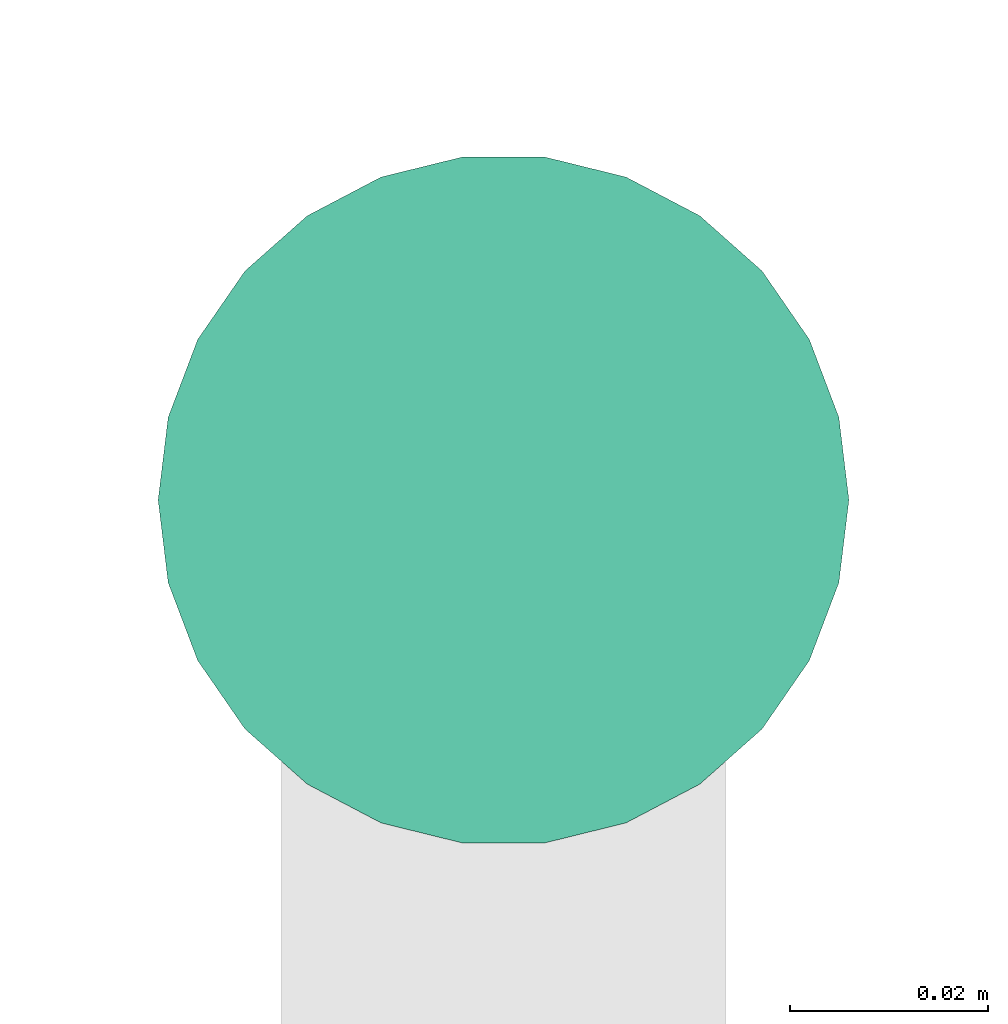
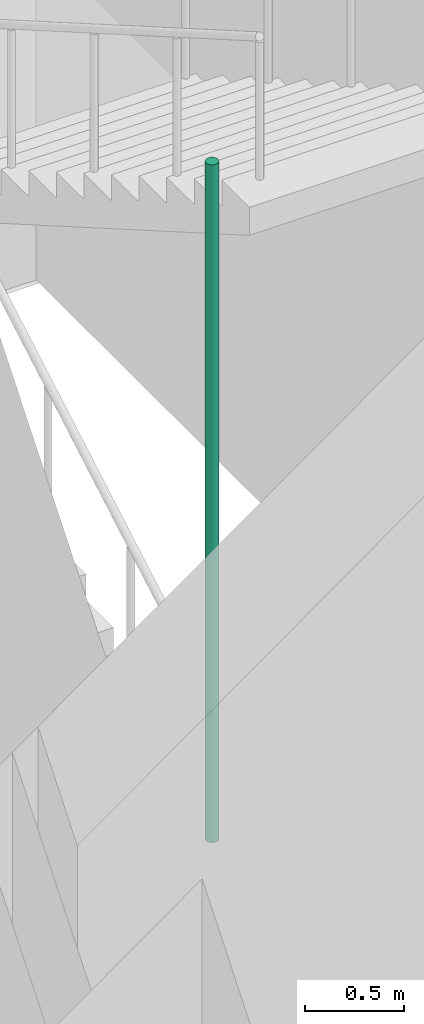
# One storey, part 68 of 72: 1 pipe segment.
"""IFC4 building model written with IfcOpenShell, lengths in metres."""

from ifc_helpers import new_model, si_unit, direction, frame, origin, origin_2d, place, context, subcontext, project, spatial, circle, extrude, element, save


model = new_model("IFC4")

# Units and contexts
model_context = context("Model", 3, precision=1e-05, world=origin(), true_north=direction((0.0, 1.0)))
body_context = subcontext(model_context, "Body", "Model", "MODEL_VIEW")
ifc_project = project(units=[si_unit("LENGTHUNIT", "METRE"), si_unit("AREAUNIT", "SQUARE_METRE"), si_unit("VOLUMEUNIT", "CUBIC_METRE"), si_unit("PLANEANGLEUNIT", "RADIAN"), si_unit("MASSUNIT", "GRAM", prefix="KILO")], contexts=[model_context])

# Site, building, storey
site_placement = place(None, origin())
site = spatial("IfcSite", under=ifc_project, at=site_placement, CompositionType="ELEMENT")
building_placement = place(site_placement, origin())
building = spatial("IfcBuilding", under=site, at=building_placement, Name="Nzadi Deep Aquarium and Research Tower", CompositionType="ELEMENT")
storey_placement = place(building_placement, frame((0.0, 0.0, 31.89990234375)))
storey = spatial("IfcBuildingStorey", under=building, at=storey_placement, Name="L05", CompositionType="ELEMENT", Elevation=31.89990234375)

# Pipe segment
pipe_segment_placement = place(storey_placement, frame((2.300048828125, 12.320068359375, 0.0), z_axis=(0.0, 0.0, 1.0), x_axis=(1.0, 0.0, 0.0)))
element("IfcPipeSegment", 1, at=pipe_segment_placement, inside=storey, Name="Dry riser ST-Z1-SW L05", PredefinedType="RIGIDSEGMENT", context=body_context, shape_type="SweptSolid", body=[
    extrude(circle(Radius=0.034912109375, at=origin_2d()), origin(), (0.0, 0.0, 1.0), 4.2001953125),
])

save(model, "model.ifc")
